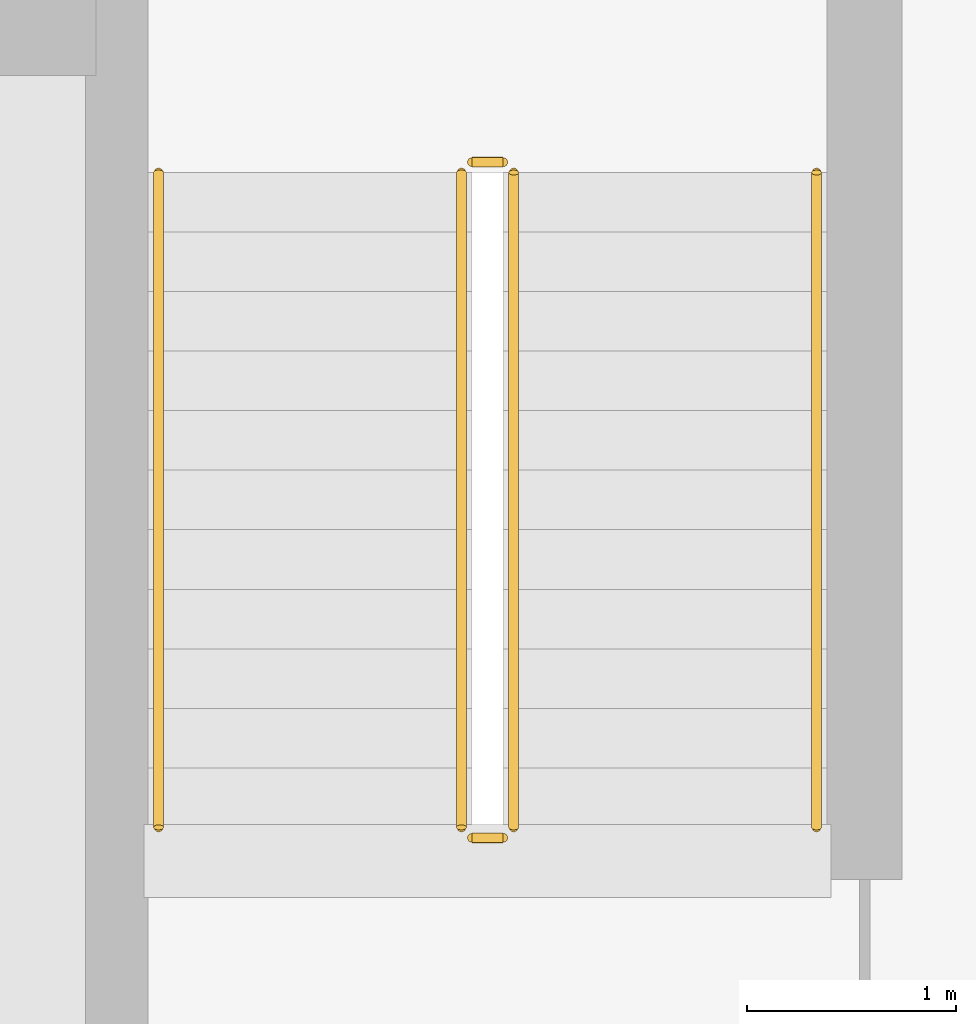
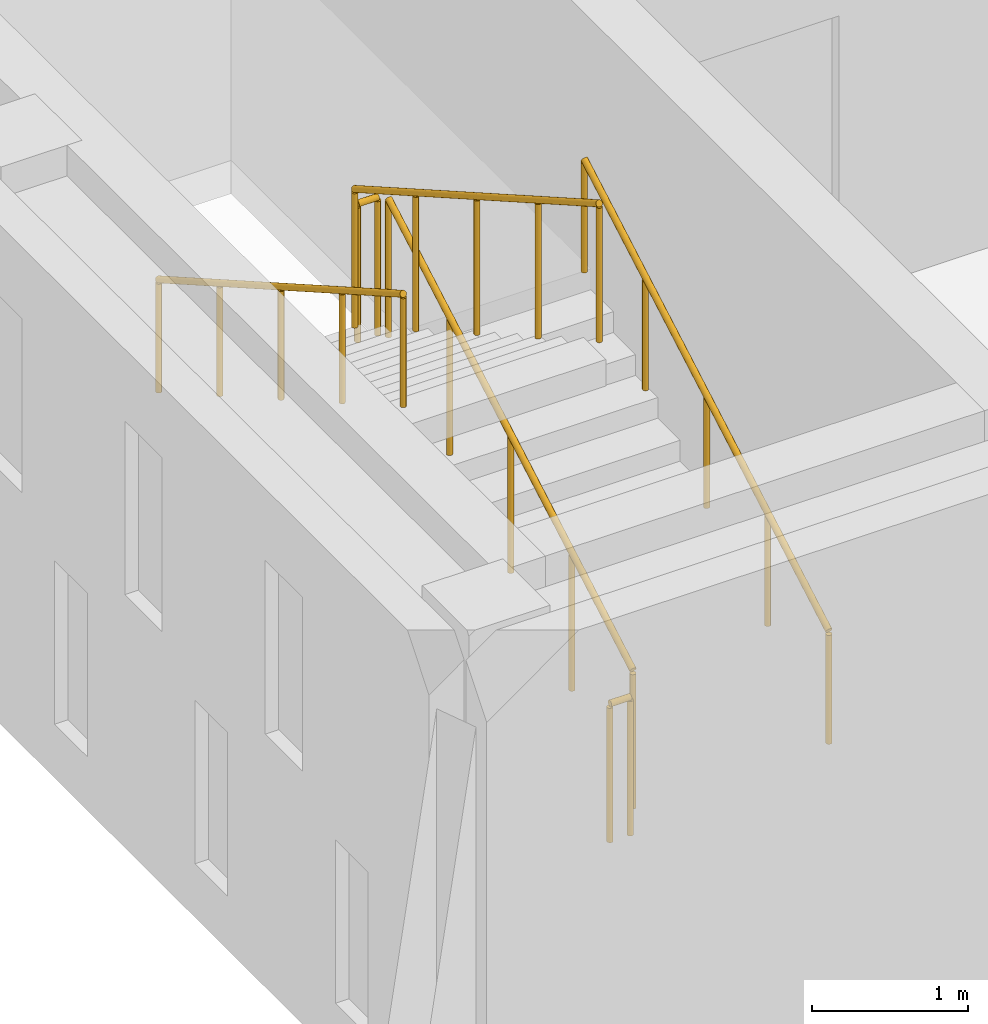
# One storey, part 91 of 98: 6 railings.
"""IFC4 building model written with IfcOpenShell, lengths in metres."""

import ifcopenshell
import ifcopenshell.guid

model = None  # the IFC model being written
_history = None  # IfcOwnerHistory: only IFC2X3 demands one
_inside = {}  # id of a spatial element -> (the spatial element, [elements in it])
_under = {}  # id of a project, library or spatial element -> (it, [spatial elements below it])
_declared = {}  # id of a project -> (the project, [libraries it declares])
_typed = {}  # id of a type object -> (the type object, [elements of that type])
_made_of = {}  # id of a material, layer set ... -> (it, [elements and type objects made of it])


def new_model(schema):
    """Start an empty IFC model of exactly this schema.

    Asked for "IFC4X3", IfcOpenShell would pick the latest addendum, in which some entities
    have other attributes; the version numbers below select the first issue.
    IFC2X3 requires an IfcOwnerHistory on every rooted entity: one is made here for all.
    """
    global model, _history
    if schema == "IFC4X3":
        model = ifcopenshell.file(schema_version=(4, 3, 0, 0))
    else:
        model = ifcopenshell.file(schema=schema)
    _inside.clear()
    _under.clear()
    _declared.clear()
    _typed.clear()
    _made_of.clear()
    _history = None
    if model.schema == "IFC2X3":
        org = make("IfcOrganization", Name="unknown")
        user = make(
            "IfcPersonAndOrganization",
            ThePerson=make("IfcPerson", FamilyName="unknown"),
            TheOrganization=org,
        )
        app = make(
            "IfcApplication",
            ApplicationDeveloper=org,
            Version="unknown",
            ApplicationFullName="unknown",
            ApplicationIdentifier="unknown",
        )
        _history = make(
            "IfcOwnerHistory",
            OwningUser=user,
            OwningApplication=app,
            ChangeAction="ADDED",
            CreationDate=0,
        )
    return model


def make(cls, **values):
    """One entity of the class cls with the attributes given. An attribute that is None is left unset."""
    return model.create_entity(
        cls, **{name: value for name, value in values.items() if value is not None}
    )


def rooted(cls, **values):
    """An entity with a GlobalId (a new one), such as an element, a storey or a relation."""
    return make(cls, GlobalId=ifcopenshell.guid.new(), OwnerHistory=_history, **values)


def si_unit(unit_type, name, prefix=None):
    """IfcSIUnit, for example si_unit("LENGTHUNIT", "METRE", prefix="MILLI")."""
    return make("IfcSIUnit", UnitType=unit_type, Prefix=prefix, Name=name)


def assignment(units):
    """IfcUnitAssignment: the units of a project."""
    return None if units is None else make("IfcUnitAssignment", Units=units)


def point(xyz):
    """IfcCartesianPoint."""
    return None if xyz is None else make("IfcCartesianPoint", Coordinates=xyz)


def direction(xyz):
    """IfcDirection."""
    return None if xyz is None else make("IfcDirection", DirectionRatios=xyz)


def frame(location, z_axis=None, x_axis=None):
    """IfcAxis2Placement3D, a coordinate frame: its origin and axes. An axis left out is left unset."""
    return make(
        "IfcAxis2Placement3D",
        Location=point(location),
        Axis=direction(z_axis),
        RefDirection=direction(x_axis),
    )


def frame_2d(location, x_axis=None):
    """IfcAxis2Placement2D, a coordinate frame in the plane: its origin and x axis."""
    return make(
        "IfcAxis2Placement2D", Location=point(location), RefDirection=direction(x_axis)
    )


def origin():
    """The frame at (0, 0, 0) with its axes left unset."""
    return frame((0.0, 0.0, 0.0))


def origin_2d():
    """The frame at (0, 0) in the plane with its x axis left unset."""
    return frame_2d((0.0, 0.0))


def place(relative_to, where):
    """IfcLocalPlacement: puts the frame where relative to a parent placement (None: the world)."""
    return make(
        "IfcLocalPlacement", PlacementRelTo=relative_to, RelativePlacement=where
    )


def context(
    kind, dimensions, precision=None, world=None, true_north=None, identifier=None
):
    """IfcGeometricRepresentationContext, for example the 3D "Model" context."""
    return make(
        "IfcGeometricRepresentationContext",
        ContextIdentifier=identifier,
        ContextType=kind,
        CoordinateSpaceDimension=dimensions,
        Precision=precision,
        WorldCoordinateSystem=world,
        TrueNorth=true_north,
    )


def subcontext(parent, identifier, kind, view, scale=None):
    """IfcGeometricRepresentationSubContext, for example "Body" below "Model"."""
    return make(
        "IfcGeometricRepresentationSubContext",
        ContextIdentifier=identifier,
        ContextType=kind,
        ParentContext=parent,
        TargetScale=scale,
        TargetView=view,
    )


def project(units=None, contexts=None):
    """IfcProject with its units and contexts."""
    return rooted(
        "IfcProject",
        Name="project",
        RepresentationContexts=contexts,
        UnitsInContext=assignment(units),
    )


def spatial(cls, under=None, at=None, **own):
    """A site, building, storey or space (cls), placed at a placement, below another one or the project."""
    s = rooted(cls, ObjectPlacement=at, **own)
    if under is not None:
        _under.setdefault(under.id(), (under, []))[1].append(s)
    return s


def profile(cls, at=None, kind="AREA", **sizes):
    """A parametric profile (cls). Its sizes go by their IFC names, for example OverallWidth=200.0."""
    return make(cls, ProfileType=kind, Position=at, **sizes)


def circle(**sizes):
    """IfcCircleProfileDef."""
    return profile("IfcCircleProfileDef", **sizes)


def extrude(swept, where, along, depth):
    """IfcExtrudedAreaSolid: the profile swept, set in the frame where, extruded along a direction by depth."""
    return make(
        "IfcExtrudedAreaSolid",
        SweptArea=swept,
        Position=where,
        ExtrudedDirection=direction(along),
        Depth=depth,
    )


def shape(context_of_items, identifier, shape_type, items):
    """IfcShapeRepresentation: the items that make up one representation, for example the "Body"."""
    return make(
        "IfcShapeRepresentation",
        ContextOfItems=context_of_items,
        RepresentationIdentifier=identifier,
        RepresentationType=shape_type,
        Items=items,
    )


def material(Name=None, Category=None):
    """IfcMaterial."""
    return make("IfcMaterial", Name=Name, Category=Category)


def made_of(thing, what):
    """Note that an element or type object is made of a material, layer set ...; save() writes the relation."""
    if what is not None:
        _made_of.setdefault(what.id(), (what, []))[1].append(thing)
    return thing


def type_object(cls, material=None, **own):
    """A type object (cls), such as IfcWallType, which elements share."""
    return made_of(rooted(cls, **own), material)


def element(
    cls,
    number,
    at=None,
    inside=None,
    cuts=None,
    type_object=None,
    material=None,
    context=None,
    identifier="Body",
    shape_type=None,
    held_by="IfcProductDefinitionShape",
    body=None,
    shapes=None,
    **own,
):
    """One element of the class cls, such as IfcWall. Its Tag is "e" and its number.

    at: its placement. inside: the storey or other place that contains it. cuts: it is an
    opening in that element (IfcRelVoidsElement). A single representation is given by context,
    identifier, shape_type and body (its items); several are given by shapes. held_by: the class
    of the entity that holds the representations. save() writes the other relations.
    """
    e = rooted(cls, Tag="e%d" % number, ObjectPlacement=at, **own)
    if body is not None:
        shapes = [shape(context, identifier, shape_type, body)]
    if shapes is not None:
        e.Representation = make(held_by, Representations=shapes)
    if inside is not None:
        _inside.setdefault(inside.id(), (inside, []))[1].append(e)
    if cuts is not None:
        rooted(
            "IfcRelVoidsElement", RelatingBuildingElement=cuts, RelatedOpeningElement=e
        )
    if type_object is not None:
        _typed.setdefault(type_object.id(), (type_object, []))[1].append(e)
    return made_of(e, material)


def aggregate(whole, parts):
    """IfcRelAggregates: a whole, such as a stair, and the parts it consists of."""
    return rooted("IfcRelAggregates", RelatingObject=whole, RelatedObjects=parts)


def save(model, path):
    """Write the relations noted so far, then the file.

    IfcRelAggregates (storeys below a building ...), IfcRelContainedInSpatialStructure (elements
    in a storey), IfcRelDefinesByType, IfcRelAssociatesMaterial and IfcRelDeclares: one each for
    every whole, place, type object, material and project.
    """
    for whole, parts in _under.values():
        aggregate(whole, parts)
    for where, things in _inside.values():
        rooted(
            "IfcRelContainedInSpatialStructure",
            RelatedElements=things,
            RelatingStructure=where,
        )
    for kind, things in _typed.values():
        rooted("IfcRelDefinesByType", RelatedObjects=things, RelatingType=kind)
    for what, things in _made_of.values():
        rooted("IfcRelAssociatesMaterial", RelatedObjects=things, RelatingMaterial=what)
    for by, libraries in _declared.values():
        rooted("IfcRelDeclares", RelatingContext=by, RelatedDefinitions=libraries)
    model.write(path)


model = new_model("IFC4")

# Units and contexts
model_context = context("Model", 3, precision=1e-05, world=origin(), true_north=direction((0.0, 1.0)))
body_context = subcontext(model_context, "Body", "Model", "MODEL_VIEW")
ifc_project = project(units=[si_unit("LENGTHUNIT", "METRE"), si_unit("AREAUNIT", "SQUARE_METRE"), si_unit("VOLUMEUNIT", "CUBIC_METRE"), si_unit("PLANEANGLEUNIT", "RADIAN"), si_unit("MASSUNIT", "GRAM", prefix="KILO")], contexts=[model_context])

# Site, building, storey
site_placement = place(None, origin())
site = spatial("IfcSite", under=ifc_project, at=site_placement, CompositionType="ELEMENT")
building_placement = place(site_placement, origin())
building = spatial("IfcBuilding", under=site, at=building_placement, Name="Larkveld Mobility Hub", CompositionType="ELEMENT")
storey_placement = place(building_placement, frame((0.0, 0.0, 4.5)))
storey = spatial("IfcBuildingStorey", under=building, at=storey_placement, Name="L01", CompositionType="ELEMENT", Elevation=4.5)

# Railings
ifc_material_1 = material(Name="Galvanized Steel S355JR balustrade", Category="steel")
railing_type_1 = type_object("IfcRailingType", Name="RL-GRD-1100", PredefinedType="GUARDRAIL", material=ifc_material_1)
railing_1_placement = place(storey_placement, frame((86.300048828125, 86.10009765625, 0.16259765625)))
element("IfcRailing", 1, at=railing_1_placement, inside=storey, type_object=railing_type_1, Name="L01 ST5 stair guard 1", PredefinedType="GUARDRAIL", context=body_context, shape_type="SweptSolid", body=[
    extrude(circle(Radius=0.02392578125, at=origin_2d()), frame((0.0, 0.0, 1.076171875), z_axis=(0.0, 0.868729823959, 0.495286273749), x_axis=(-1.0, 0.0, 0.0)), (0.0, 0.0, 1.0), 3.608642578125),
    extrude(circle(Radius=0.02099609375, at=origin_2d()), origin(), (0.0, 0.0, 1.0), 1.052001953125),
    extrude(circle(Radius=0.02099609375, at=origin_2d()), frame((0.0, 0.78369140625, 0.44677734375)), (0.0, 0.0, 1.0), 1.052001953125),
    extrude(circle(Radius=0.02099609375, at=origin_2d()), frame((0.0, 1.5673828125, 0.8935546875)), (0.0, 0.0, 1.0), 1.052001953125),
    extrude(circle(Radius=0.02099609375, at=origin_2d()), frame((0.0, 2.351318359375, 1.340576171875)), (0.0, 0.0, 1.0), 1.052001953125),
    extrude(circle(Radius=0.02099609375, at=origin_2d()), frame((0.0, 3.135009765625, 1.787353515625)), (0.0, 0.0, 1.0), 1.052001953125),
])
railing_2_placement = place(storey_placement, frame((86.25, 89.284912109375, 1.949951171875)))
element("IfcRailing", 2, at=railing_2_placement, inside=storey, type_object=railing_type_1, Name="L01 ST5 stair guard 2", PredefinedType="GUARDRAIL", context=body_context, shape_type="SweptSolid", body=[
    extrude(circle(Radius=0.02392578125, at=origin_2d()), frame((0.0, 0.0, 1.076171875), z_axis=(-1.0, 0.0, 0.0), x_axis=(0.0, -1.0, 0.0)), (0.0, 0.0, 1.0), 0.14990234375),
    extrude(circle(Radius=0.02099609375, at=origin_2d()), origin(), (0.0, 0.0, 1.0), 1.052001953125),
    extrude(circle(Radius=0.02099609375, at=origin_2d()), frame((-0.14990234375, 0.0, 0.0)), (0.0, 0.0, 1.0), 1.052001953125),
])
railing_3_placement = place(storey_placement, frame((86.050048828125, 89.235107421875, 2.112548828125)))
element("IfcRailing", 3, at=railing_3_placement, inside=storey, type_object=railing_type_1, Name="L01 ST5 stair guard 3", PredefinedType="GUARDRAIL", context=body_context, shape_type="SweptSolid", body=[
    extrude(circle(Radius=0.02392578125, at=origin_2d()), frame((0.0, 0.0, 1.076171875), z_axis=(0.0, -0.868729823959, 0.495286273749), x_axis=(1.0, 0.0, 0.0)), (0.0, 0.0, 1.0), 3.608642578125),
    extrude(circle(Radius=0.02099609375, at=origin_2d()), origin(), (0.0, 0.0, 1.0), 1.052001953125),
    extrude(circle(Radius=0.02099609375, at=origin_2d()), frame((0.0, -0.78369140625, 0.44677734375)), (0.0, 0.0, 1.0), 1.052001953125),
    extrude(circle(Radius=0.02099609375, at=origin_2d()), frame((0.0, -1.5673828125, 0.8935546875)), (0.0, 0.0, 1.0), 1.052001953125),
    extrude(circle(Radius=0.02099609375, at=origin_2d()), frame((0.0, -2.351318359375, 1.340576171875)), (0.0, 0.0, 1.0), 1.052001953125),
    extrude(circle(Radius=0.02099609375, at=origin_2d()), frame((0.0, -3.135009765625, 1.787353515625)), (0.0, 0.0, 1.0), 1.052001953125),
])
railing_4_placement = place(storey_placement, frame((86.25, 86.050048828125, 0.0)))
element("IfcRailing", 4, at=railing_4_placement, inside=storey, type_object=railing_type_1, Name="L01 ST5 stair guard 4", PredefinedType="GUARDRAIL", context=body_context, shape_type="SweptSolid", body=[
    extrude(circle(Radius=0.02392578125, at=origin_2d()), frame((0.0, 0.0, 1.076171875), z_axis=(-1.0, 0.0, 0.0), x_axis=(0.0, -1.0, 0.0)), (0.0, 0.0, 1.0), 0.14990234375),
    extrude(circle(Radius=0.02099609375, at=origin_2d()), origin(), (0.0, 0.0, 1.0), 1.052001953125),
    extrude(circle(Radius=0.02099609375, at=origin_2d()), frame((-0.14990234375, 0.0, 0.0)), (0.0, 0.0, 1.0), 1.052001953125),
])
ifc_material_2 = material(Name="Brushed Steel S355JR tubular handrail", Category="steel")
railing_type_2 = type_object("IfcRailingType", Name="RL-HND-0900", PredefinedType="HANDRAIL", material=ifc_material_2)
railing_5_placement = place(storey_placement, frame((87.75, 86.10009765625, 0.16259765625)))
element("IfcRailing", 5, at=railing_5_placement, inside=storey, type_object=railing_type_2, Name="L01 ST5 stair handrail 1", PredefinedType="HANDRAIL", context=body_context, shape_type="SweptSolid", body=[
    extrude(circle(Radius=0.02392578125, at=origin_2d()), frame((0.0, 0.0, 0.8759765625), z_axis=(0.0, 0.868729823959, 0.495286273749), x_axis=(-1.0, 0.0, 0.0)), (0.0, 0.0, 1.0), 3.608642578125),
    extrude(circle(Radius=0.02099609375, at=origin_2d()), origin(), (0.0, 0.0, 1.0), 0.851806640625),
    extrude(circle(Radius=0.02099609375, at=origin_2d()), frame((0.0, 0.78369140625, 0.44677734375)), (0.0, 0.0, 1.0), 0.851806640625),
    extrude(circle(Radius=0.02099609375, at=origin_2d()), frame((0.0, 1.5673828125, 0.8935546875)), (0.0, 0.0, 1.0), 0.851806640625),
    extrude(circle(Radius=0.02099609375, at=origin_2d()), frame((0.0, 2.351318359375, 1.340576171875)), (0.0, 0.0, 1.0), 0.851806640625),
    extrude(circle(Radius=0.02099609375, at=origin_2d()), frame((0.0, 3.135009765625, 1.787353515625)), (0.0, 0.0, 1.0), 0.851806640625),
])
railing_6_placement = place(storey_placement, frame((84.60009765625, 89.235107421875, 2.112548828125)))
element("IfcRailing", 6, at=railing_6_placement, inside=storey, type_object=railing_type_2, Name="L01 ST5 stair handrail 2", PredefinedType="HANDRAIL", context=body_context, shape_type="SweptSolid", body=[
    extrude(circle(Radius=0.02392578125, at=origin_2d()), frame((0.0, 0.0, 0.8759765625), z_axis=(0.0, -0.868729823959, 0.495286273749), x_axis=(1.0, 0.0, 0.0)), (0.0, 0.0, 1.0), 3.608642578125),
    extrude(circle(Radius=0.02099609375, at=origin_2d()), origin(), (0.0, 0.0, 1.0), 0.851806640625),
    extrude(circle(Radius=0.02099609375, at=origin_2d()), frame((0.0, -0.78369140625, 0.44677734375)), (0.0, 0.0, 1.0), 0.851806640625),
    extrude(circle(Radius=0.02099609375, at=origin_2d()), frame((0.0, -1.5673828125, 0.8935546875)), (0.0, 0.0, 1.0), 0.851806640625),
    extrude(circle(Radius=0.02099609375, at=origin_2d()), frame((0.0, -2.351318359375, 1.340576171875)), (0.0, 0.0, 1.0), 0.851806640625),
    extrude(circle(Radius=0.02099609375, at=origin_2d()), frame((0.0, -3.135009765625, 1.787353515625)), (0.0, 0.0, 1.0), 0.851806640625),
])

save(model, "model.ifc")
